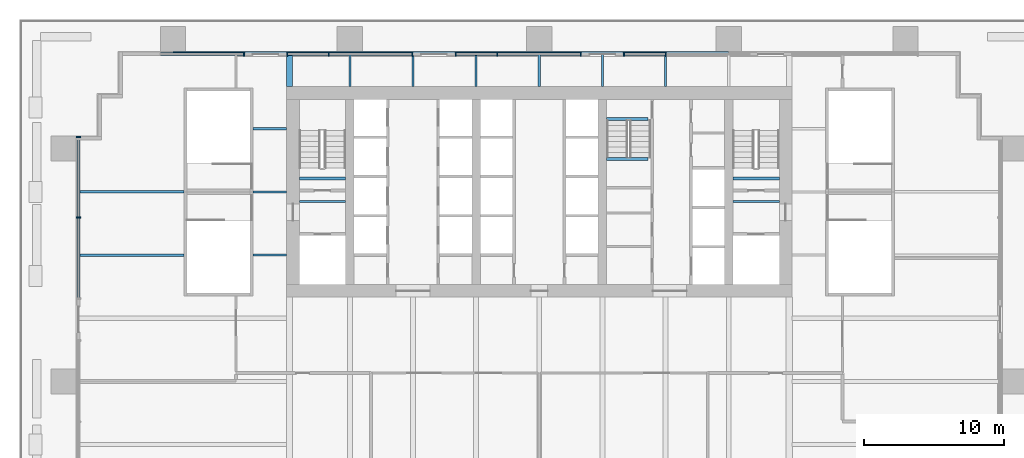
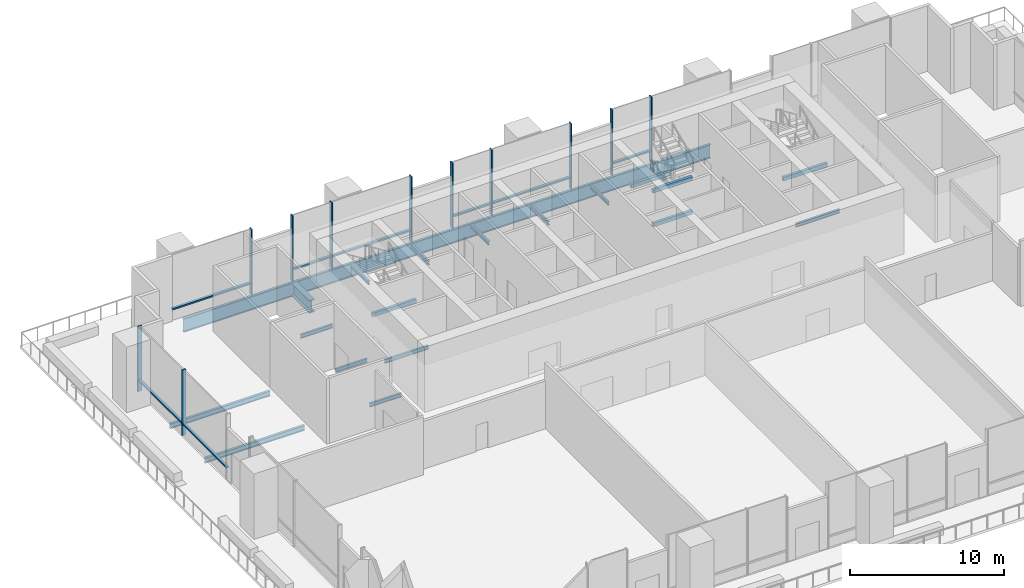
# One storey, part 4 of 16: 22 beams, 19 members, 5 elements without a shape of their own.
"""IFC4 building model written with IfcOpenShell, lengths in metres."""

from ifc_helpers import new_model, si_unit, direction, frame, origin, origin_2d, place, context, subcontext, project, spatial, rectangle, i_section, extrude, material, layer, layer_set, material_profile, profile_set, type_object, element, aggregate, save


model = new_model("IFC4")

# Units and contexts
model_context = context("Model", 3, precision=1e-05, world=origin(), true_north=direction((0.0, 1.0)))
body_context = subcontext(model_context, "Body", "Model", "MODEL_VIEW")
ifc_project = project(units=[si_unit("LENGTHUNIT", "METRE"), si_unit("AREAUNIT", "SQUARE_METRE"), si_unit("VOLUMEUNIT", "CUBIC_METRE"), si_unit("PLANEANGLEUNIT", "RADIAN"), si_unit("MASSUNIT", "GRAM", prefix="KILO")], contexts=[model_context])

# Site, building, storey
site_placement = place(None, origin())
site = spatial("IfcSite", under=ifc_project, at=site_placement, CompositionType="ELEMENT")
building_placement = place(site_placement, origin())
building = spatial("IfcBuilding", under=site, at=building_placement, Name="Rattan Terrace Tower", CompositionType="ELEMENT")
storey_placement = place(building_placement, frame((0.0, 0.0, 27.0)))
storey = spatial("IfcBuildingStorey", under=building, at=storey_placement, Name="L05", CompositionType="ELEMENT", Elevation=27.0)

# Beams
ifc_material_1 = material(Name="Concrete C40/50", Category="concrete")
ifc_material_profile_1 = material_profile(ifc_material_1, rectangle(XDim=0.199951171875, YDim=0.300048828125, at=origin_2d()), Name="RC 200x300")
ifc_profile_set_1 = profile_set([ifc_material_profile_1], Name="Concrete C40/50")
beam_type_1 = type_object("IfcBeamType", Name="Core landing beam RC 200x300", PredefinedType="BEAM", material=ifc_profile_set_1)
for number, where, z_axis, x_axis, name in (
    (1, (-17.10009765625, 0.949951171875, 2.35009765625), (1.0, 0.0, 0.0), (0.0, 1.0, 0.0), "st-S1-L05 landing 2 edge beam"),
    (2, (13.800048828125, 0.949951171875, 2.35009765625), (1.0, 0.0, 0.0), (0.0, 1.0, 0.0), "st-S2-L05 landing 2 edge beam"),
):
    element("IfcBeam", number, at=place(storey_placement, frame(where, z_axis=z_axis, x_axis=x_axis)), inside=storey, type_object=beam_type_1, Name=name, PredefinedType="BEAM", context=body_context, shape_type="SweptSolid", body=[
        extrude(rectangle(XDim=0.199951171875, YDim=0.300048828125, at=origin_2d()), origin(), (0.0, 0.0, 1.0), 3.300048828125),
    ])
for number, where, z_axis, x_axis, name in (
    (3, (4.800048828125, 2.340087890625, 1.0), (1.0, 0.0, 0.0), (0.0, 1.0, 0.0), "st-S3-L05 landing 1 edge beam"),
    (4, (4.800048828125, 5.199951171875, 2.35009765625), (1.0, 0.0, 0.0), (0.0, 1.0, 0.0), "st-S3-L05 landing 2 edge beam"),
    (5, (4.800048828125, 2.340087890625, 3.699951171875), (1.0, 0.0, 0.0), (0.0, 1.0, 0.0), "st-S3-L05 landing 3 edge beam"),
):
    element("IfcBeam", number, at=place(storey_placement, frame(where, z_axis=z_axis, x_axis=x_axis)), inside=storey, type_object=beam_type_1, Name=name, PredefinedType="BEAM", context=body_context, shape_type="SweptSolid", body=[
        extrude(rectangle(XDim=0.199951171875, YDim=0.300048828125, at=origin_2d()), origin(), (0.0, 0.0, 1.0), 2.949951171875),
    ])
ifc_material_2 = material(Name="Steel S460", Category="steel")
ifc_material_profile_2 = material_profile(ifc_material_2, i_section(OverallWidth=0.39990234375, OverallDepth=1.0, WebThickness=0.01806640625, FlangeThickness=0.044921875, at=origin_2d()), Name="PG 1000x400-18-45")
ifc_profile_set_2 = profile_set([ifc_material_profile_2], Name="Steel S460")
beam_type_2 = type_object("IfcBeamType", Name="Frame core girder PG 1000x400-18-45", PredefinedType="BEAM", material=ifc_profile_set_2)
beam_1_placement = place(storey_placement, frame((-17.800048828125, 7.5, -0.699951171875), z_axis=(0.0, 1.0, 0.0), x_axis=(-1.0, 0.0, 0.0)))
element("IfcBeam", 6, at=beam_1_placement, inside=storey, type_object=beam_type_2, Name="gdr-L05-015", PredefinedType="BEAM", context=body_context, shape_type="SweptSolid", body=[
    extrude(i_section(OverallWidth=0.39990234375, OverallDepth=1.0, WebThickness=0.01806640625, FlangeThickness=0.044921875, at=origin_2d()), origin(), (0.0, 0.0, 1.0), 2.320068359375),
])
ifc_material_3 = material(Name="Steel S460", Category="steel")
ifc_material_profile_3 = material_profile(ifc_material_3, i_section(OverallWidth=0.179931640625, OverallDepth=1.10009765625, WebThickness=0.01611328125, FlangeThickness=0.050048828125, at=origin_2d()), Name="PG 1100x180-16-50")
ifc_profile_set_3 = profile_set([ifc_material_profile_3], Name="Steel S460")
beam_type_3 = type_object("IfcBeamType", Name="Frame edge girder PG 1100x180-16-50", PredefinedType="SPANDREL", material=ifc_profile_set_3)
beam_2_placement = place(storey_placement, frame((-13.5, 9.909912109375, -0.75), z_axis=(-1.0, 0.0, 0.0), x_axis=(0.0, -1.0, 0.0)))
element("IfcBeam", 7, at=beam_2_placement, inside=storey, type_object=beam_type_3, Name="gdr-L05-009", PredefinedType="SPANDREL", context=body_context, shape_type="SweptSolid", body=[
    extrude(i_section(OverallWidth=0.179931640625, OverallDepth=1.10009765625, WebThickness=0.01611328125, FlangeThickness=0.050048828125, at=origin_2d()), origin(), (0.0, 0.0, 1.0), 12.60009765625),
])
for number, where, z_axis, x_axis, name in (
    (8, (0.0, 9.909912109375, -0.75), (-1.0, 0.0, 0.0), (0.0, -1.0, 0.0), "gdr-L05-010"),
    (9, (13.5, 9.909912109375, -0.75), (-1.0, 0.0, 0.0), (0.0, -1.0, 0.0), "gdr-L05-011"),
):
    element("IfcBeam", number, at=place(storey_placement, frame(where, z_axis=z_axis, x_axis=x_axis)), inside=storey, type_object=beam_type_3, Name=name, PredefinedType="SPANDREL", context=body_context, shape_type="SweptSolid", body=[
        extrude(i_section(OverallWidth=0.179931640625, OverallDepth=1.10009765625, WebThickness=0.01611328125, FlangeThickness=0.050048828125, at=origin_2d()), origin(), (0.0, 0.0, 1.0), 13.5),
    ])
ifc_material_4 = material(Name="Steel S355", Category="steel")
ifc_material_profile_4 = material_profile(ifc_material_4, i_section(OverallWidth=0.14990234375, OverallDepth=0.300048828125, WebThickness=0.007080078125, FlangeThickness=0.0107421875, FilletRadius=0.014892578125, at=origin_2d()), Name="IPE 300")
ifc_profile_set_4 = profile_set([ifc_material_profile_4], Name="Steel S355")
beam_type_4 = type_object("IfcBeamType", Name="Frame floor beam IPE 300", PredefinedType="JOIST", material=ifc_profile_set_4)
for number, where, z_axis, x_axis, name in (
    (10, (-17.10009765625, -0.695068359375, -0.35009765625), (1.0, 0.0, 0.0), (0.0, 1.0, 0.0), "bm-L05-001"),
    (11, (13.800048828125, -0.695068359375, -0.35009765625), (1.0, 0.0, 0.0), (0.0, 1.0, 0.0), "bm-L05-002"),
):
    element("IfcBeam", number, at=place(storey_placement, frame(where, z_axis=z_axis, x_axis=x_axis)), inside=storey, type_object=beam_type_4, Name=name, PredefinedType="JOIST", context=body_context, shape_type="SweptSolid", body=[
        extrude(i_section(OverallWidth=0.14990234375, OverallDepth=0.300048828125, WebThickness=0.007080078125, FlangeThickness=0.0107421875, FilletRadius=0.014892578125, at=origin_2d()), origin(), (0.0, 0.0, 1.0), 3.300048828125),
    ])
for number, where, z_axis, x_axis, name in (
    (12, (-20.39990234375, -4.5, -0.35009765625), (1.0, 0.0, 0.0), (0.0, 1.0, 0.0), "bm-L05-021"),
    (13, (-20.39990234375, 0.0, -0.35009765625), (1.0, 0.0, 0.0), (0.0, 1.0, 0.0), "bm-L05-025"),
    (14, (-20.39990234375, 4.5, -0.35009765625), (1.0, 0.0, 0.0), (0.0, 1.0, 0.0), "bm-L05-028"),
):
    element("IfcBeam", number, at=place(storey_placement, frame(where, z_axis=z_axis, x_axis=x_axis)), inside=storey, type_object=beam_type_4, Name=name, PredefinedType="JOIST", context=body_context, shape_type="SweptSolid", body=[
        extrude(i_section(OverallWidth=0.14990234375, OverallDepth=0.300048828125, WebThickness=0.007080078125, FlangeThickness=0.0107421875, FilletRadius=0.014892578125, at=origin_2d()), origin(), (0.0, 0.0, 1.0), 2.39990234375),
    ])
for number, where, z_axis, x_axis, name in (
    (15, (-13.5, 7.5, -0.35009765625), (0.0, 1.0, 0.0), (-1.0, 0.0, 0.0), "bm-L05-030"),
    (16, (-9.0, 7.5, -0.35009765625), (0.0, 1.0, 0.0), (-1.0, 0.0, 0.0), "bm-L05-031"),
    (17, (-4.5, 7.5, -0.35009765625), (0.0, 1.0, 0.0), (-1.0, 0.0, 0.0), "bm-L05-032"),
    (18, (0.0, 7.5, -0.35009765625), (0.0, 1.0, 0.0), (-1.0, 0.0, 0.0), "bm-L05-033"),
    (19, (4.5, 7.5, -0.35009765625), (0.0, 1.0, 0.0), (-1.0, 0.0, 0.0), "bm-L05-034"),
    (20, (9.0, 7.5, -0.35009765625), (0.0, 1.0, 0.0), (-1.0, 0.0, 0.0), "bm-L05-035"),
):
    element("IfcBeam", number, at=place(storey_placement, frame(where, z_axis=z_axis, x_axis=x_axis)), inside=storey, type_object=beam_type_4, Name=name, PredefinedType="JOIST", context=body_context, shape_type="SweptSolid", body=[
        extrude(i_section(OverallWidth=0.14990234375, OverallDepth=0.300048828125, WebThickness=0.007080078125, FlangeThickness=0.0107421875, FilletRadius=0.014892578125, at=origin_2d()), origin(), (0.0, 0.0, 1.0), 2.320068359375),
    ])
ifc_material_5 = material(Name="Steel S355", Category="steel")
ifc_material_profile_5 = material_profile(ifc_material_5, i_section(OverallWidth=0.179931640625, OverallDepth=0.39990234375, WebThickness=0.008544921875, FlangeThickness=0.013427734375, FilletRadius=0.02099609375, at=origin_2d()), Name="IPE 400")
ifc_profile_set_5 = profile_set([ifc_material_profile_5], Name="Steel S355")
beam_type_5 = type_object("IfcBeamType", Name="Frame floor beam IPE 400", PredefinedType="JOIST", material=ifc_profile_set_5)
for number, where, z_axis, x_axis, name in (
    (21, (-32.820068359375, -4.5, -0.39990234375), (1.0, 0.0, 0.0), (0.0, 1.0, 0.0), "bm-L05-020"),
    (22, (-32.820068359375, 0.0, -0.39990234375), (1.0, 0.0, 0.0), (0.0, 1.0, 0.0), "bm-L05-024"),
):
    element("IfcBeam", number, at=place(storey_placement, frame(where, z_axis=z_axis, x_axis=x_axis)), inside=storey, type_object=beam_type_5, Name=name, PredefinedType="JOIST", context=body_context, shape_type="SweptSolid", body=[
        extrude(i_section(OverallWidth=0.179931640625, OverallDepth=0.39990234375, WebThickness=0.008544921875, FlangeThickness=0.013427734375, FilletRadius=0.02099609375, at=origin_2d()), origin(), (0.0, 0.0, 1.0), 7.52001953125),
    ])

# Curtain wall, members
ifc_material_6 = material(Name="Steel fins, aluminium and glass", Category="steel")
ifc_layer = layer(ifc_material_6, 0.300048828125)
ifc_layer_set = layer_set([ifc_layer], Name="Sky Lobby Stick Curtain Wall")
curtain_wall_type = type_object("IfcCurtainWallType", Name="Sky Lobby Stick Curtain Wall", PredefinedType="NOTDEFINED", material=ifc_layer_set)
curtain_wall_1_placement = place(storey_placement, origin())
curtain_wall_1 = element("IfcCurtainWall", 23, at=curtain_wall_1_placement, inside=storey, type_object=curtain_wall_type, Name="Sky lobby curtain wall L05-5", PredefinedType="NOTDEFINED")
ifc_material_7 = material(Name="Steel S355", Category="steel")
ifc_material_profile_6 = material_profile(ifc_material_7, rectangle(XDim=0.080078125, YDim=0.300048828125, at=origin_2d()), Name="Steel S355 80x300")
ifc_profile_set_6 = profile_set([ifc_material_profile_6], Name="Steel S355")
member_type_1 = type_object("IfcMemberType", Name="Sky Lobby CW Fin 80x300", PredefinedType="MULLION", material=ifc_profile_set_6)
member_1_placement = place(storey_placement, frame((9.0, 9.830078125, 0.0), z_axis=(0.0, 0.0, 1.0), x_axis=(-1.0, 0.0, 0.0)))
member_1 = element("IfcMember", 24, at=member_1_placement, type_object=member_type_1, Name="Mullion cwl-L05-005.2", PredefinedType="MULLION", context=body_context, shape_type="SweptSolid", body=[
    extrude(rectangle(XDim=0.080078125, YDim=0.300048828125, at=origin_2d()), origin(), (0.0, 0.0, 1.0), 5.199951171875),
])
member_2_placement = place(storey_placement, frame((6.0400390625, 9.830078125, 0.0), z_axis=(0.0, 0.0, 1.0), x_axis=(-1.0, 0.0, 0.0)))
member_2 = element("IfcMember", 25, at=member_2_placement, type_object=member_type_1, Name="Mullion cwl-L05-005.3", PredefinedType="MULLION", context=body_context, shape_type="SweptSolid", body=[
    extrude(rectangle(XDim=0.080078125, YDim=0.300048828125, at=origin_2d()), origin(), (0.0, 0.0, 1.0), 5.199951171875),
])

curtain_wall_2_placement = place(storey_placement, origin())
curtain_wall_2 = element("IfcCurtainWall", 26, at=curtain_wall_2_placement, inside=storey, type_object=curtain_wall_type, Name="Sky lobby curtain wall L05-6", PredefinedType="NOTDEFINED")
member_3_placement = place(storey_placement, frame((2.9599609375, 9.830078125, 0.0), z_axis=(0.0, 0.0, 1.0), x_axis=(-1.0, 0.0, 0.0)))
member_3 = element("IfcMember", 27, at=member_3_placement, type_object=member_type_1, Name="Mullion cwl-L05-006.1", PredefinedType="MULLION", context=body_context, shape_type="SweptSolid", body=[
    extrude(rectangle(XDim=0.080078125, YDim=0.300048828125, at=origin_2d()), origin(), (0.0, 0.0, 1.0), 5.199951171875),
])
member_4_placement = place(storey_placement, frame((-3.0, 9.830078125, 0.0), z_axis=(0.0, 0.0, 1.0), x_axis=(-1.0, 0.0, 0.0)))
member_4 = element("IfcMember", 28, at=member_4_placement, type_object=member_type_1, Name="Mullion cwl-L05-006.2", PredefinedType="MULLION", context=body_context, shape_type="SweptSolid", body=[
    extrude(rectangle(XDim=0.080078125, YDim=0.300048828125, at=origin_2d()), origin(), (0.0, 0.0, 1.0), 5.199951171875),
])
member_5_placement = place(storey_placement, frame((-5.9599609375, 9.830078125, 0.0), z_axis=(0.0, 0.0, 1.0), x_axis=(-1.0, 0.0, 0.0)))
member_5 = element("IfcMember", 29, at=member_5_placement, type_object=member_type_1, Name="Mullion cwl-L05-006.3", PredefinedType="MULLION", context=body_context, shape_type="SweptSolid", body=[
    extrude(rectangle(XDim=0.080078125, YDim=0.300048828125, at=origin_2d()), origin(), (0.0, 0.0, 1.0), 5.199951171875),
])

curtain_wall_3_placement = place(storey_placement, origin())
curtain_wall_3 = element("IfcCurtainWall", 30, at=curtain_wall_3_placement, inside=storey, type_object=curtain_wall_type, Name="Sky lobby curtain wall L05-7", PredefinedType="NOTDEFINED")
member_6_placement = place(storey_placement, frame((-9.0400390625, 9.830078125, 0.0), z_axis=(0.0, 0.0, 1.0), x_axis=(-1.0, 0.0, 0.0)))
member_6 = element("IfcMember", 31, at=member_6_placement, type_object=member_type_1, Name="Mullion cwl-L05-007.1", PredefinedType="MULLION", context=body_context, shape_type="SweptSolid", body=[
    extrude(rectangle(XDim=0.080078125, YDim=0.300048828125, at=origin_2d()), origin(), (0.0, 0.0, 1.0), 5.199951171875),
])
member_7_placement = place(storey_placement, frame((-15.0, 9.830078125, 0.0), z_axis=(0.0, 0.0, 1.0), x_axis=(-1.0, 0.0, 0.0)))
member_7 = element("IfcMember", 32, at=member_7_placement, type_object=member_type_1, Name="Mullion cwl-L05-007.2", PredefinedType="MULLION", context=body_context, shape_type="SweptSolid", body=[
    extrude(rectangle(XDim=0.080078125, YDim=0.300048828125, at=origin_2d()), origin(), (0.0, 0.0, 1.0), 5.199951171875),
])
member_8_placement = place(storey_placement, frame((-17.9599609375, 9.830078125, 0.0), z_axis=(0.0, 0.0, 1.0), x_axis=(-1.0, 0.0, 0.0)))
member_8 = element("IfcMember", 33, at=member_8_placement, type_object=member_type_1, Name="Mullion cwl-L05-007.3", PredefinedType="MULLION", context=body_context, shape_type="SweptSolid", body=[
    extrude(rectangle(XDim=0.080078125, YDim=0.300048828125, at=origin_2d()), origin(), (0.0, 0.0, 1.0), 5.199951171875),
])

# Curtain wall, member
curtain_wall_4_placement = place(storey_placement, origin())
curtain_wall_4 = element("IfcCurtainWall", 34, at=curtain_wall_4_placement, inside=storey, type_object=curtain_wall_type, Name="Sky lobby curtain wall L05-8", PredefinedType="NOTDEFINED")
member_9_placement = place(storey_placement, frame((-21.0400390625, 9.830078125, 0.0), z_axis=(0.0, 0.0, 1.0), x_axis=(-1.0, 0.0, 0.0)))
member_9 = element("IfcMember", 35, at=member_9_placement, type_object=member_type_1, Name="Mullion cwl-L05-008.1", PredefinedType="MULLION", context=body_context, shape_type="SweptSolid", body=[
    extrude(rectangle(XDim=0.080078125, YDim=0.300048828125, at=origin_2d()), origin(), (0.0, 0.0, 1.0), 5.199951171875),
])

# Curtain wall, members
curtain_wall_5_placement = place(storey_placement, origin())
curtain_wall_5 = element("IfcCurtainWall", 36, at=curtain_wall_5_placement, inside=storey, type_object=curtain_wall_type, Name="Sky lobby curtain wall L05-9", PredefinedType="NOTDEFINED")
member_10_placement = place(storey_placement, frame((-32.830078125, 3.9150390625, 0.0), z_axis=(0.0, 0.0, 1.0), x_axis=(0.0, -1.0, 0.0)))
member_10 = element("IfcMember", 37, at=member_10_placement, type_object=member_type_1, Name="Mullion cwl-L05-009.1", PredefinedType="MULLION", context=body_context, shape_type="SweptSolid", body=[
    extrude(rectangle(XDim=0.080078125, YDim=0.300048828125, at=origin_2d()), origin(), (0.0, 0.0, 1.0), 5.199951171875),
])
member_11_placement = place(storey_placement, frame((-32.830078125, -1.818115234375, 0.0), z_axis=(0.0, 0.0, 1.0), x_axis=(0.0, -1.0, 0.0)))
member_11 = element("IfcMember", 38, at=member_11_placement, type_object=member_type_1, Name="Mullion cwl-L05-009.2", PredefinedType="MULLION", context=body_context, shape_type="SweptSolid", body=[
    extrude(rectangle(XDim=0.080078125, YDim=0.300048828125, at=origin_2d()), origin(), (0.0, 0.0, 1.0), 5.199951171875),
])

# Member
ifc_material_8 = material(Name="Aluminium", Category="aluminium")
ifc_material_profile_7 = material_profile(ifc_material_8, rectangle(XDim=0.199951171875, YDim=0.1201171875, at=origin_2d()), Name="Aluminium 200x120")
ifc_profile_set_7 = profile_set([ifc_material_profile_7], Name="Aluminium")
member_type_2 = type_object("IfcMemberType", Name="Sky Lobby CW Transom 200x120", PredefinedType="USERDEFINED", material=ifc_profile_set_7)
member_12_placement = place(storey_placement, frame((8.9599609375, 9.830078125, 0.89990234375), z_axis=(-1.0, 0.0, 0.0), x_axis=(0.0, -1.0, 0.0)))
member_12 = element("IfcMember", 39, at=member_12_placement, type_object=member_type_2, Name="Transom cwl-L05-005.2", ObjectType="TRANSOM", PredefinedType="USERDEFINED", context=body_context, shape_type="SweptSolid", body=[
    extrude(rectangle(XDim=0.199951171875, YDim=0.1201171875, at=origin_2d()), origin(), (0.0, 0.0, 1.0), 2.8798828125),
])

aggregate(curtain_wall_1, [member_1, member_2, member_12])

member_13_placement = place(storey_placement, frame((2.919921875, 9.830078125, 0.89990234375), z_axis=(-1.0, 0.0, 0.0), x_axis=(0.0, -1.0, 0.0)))
member_13 = element("IfcMember", 40, at=member_13_placement, type_object=member_type_2, Name="Transom cwl-L05-006.1", ObjectType="TRANSOM", PredefinedType="USERDEFINED", context=body_context, shape_type="SweptSolid", body=[
    extrude(rectangle(XDim=0.199951171875, YDim=0.1201171875, at=origin_2d()), origin(), (0.0, 0.0, 1.0), 5.8798828125),
])

member_14_placement = place(storey_placement, frame((-3.0400390625, 9.830078125, 0.89990234375), z_axis=(-1.0, 0.0, 0.0), x_axis=(0.0, -1.0, 0.0)))
member_14 = element("IfcMember", 41, at=member_14_placement, type_object=member_type_2, Name="Transom cwl-L05-006.2", ObjectType="TRANSOM", PredefinedType="USERDEFINED", context=body_context, shape_type="SweptSolid", body=[
    extrude(rectangle(XDim=0.199951171875, YDim=0.1201171875, at=origin_2d()), origin(), (0.0, 0.0, 1.0), 2.8798828125),
])

aggregate(curtain_wall_2, [member_3, member_4, member_5, member_13, member_14])

member_15_placement = place(storey_placement, frame((-9.080078125, 9.830078125, 0.89990234375), z_axis=(-1.0, 0.0, 0.0), x_axis=(0.0, -1.0, 0.0)))
member_15 = element("IfcMember", 42, at=member_15_placement, type_object=member_type_2, Name="Transom cwl-L05-007.1", ObjectType="TRANSOM", PredefinedType="USERDEFINED", context=body_context, shape_type="SweptSolid", body=[
    extrude(rectangle(XDim=0.199951171875, YDim=0.1201171875, at=origin_2d()), origin(), (0.0, 0.0, 1.0), 5.8798828125),
])

member_16_placement = place(storey_placement, frame((-15.0400390625, 9.830078125, 0.89990234375), z_axis=(-1.0, 0.0, 0.0), x_axis=(0.0, -1.0, 0.0)))
member_16 = element("IfcMember", 43, at=member_16_placement, type_object=member_type_2, Name="Transom cwl-L05-007.2", ObjectType="TRANSOM", PredefinedType="USERDEFINED", context=body_context, shape_type="SweptSolid", body=[
    extrude(rectangle(XDim=0.199951171875, YDim=0.1201171875, at=origin_2d()), origin(), (0.0, 0.0, 1.0), 2.8798828125),
])

aggregate(curtain_wall_3, [member_6, member_7, member_8, member_15, member_16])

member_17_placement = place(storey_placement, frame((-21.080078125, 9.830078125, 0.89990234375), z_axis=(-1.0, 0.0, 0.0), x_axis=(0.0, -1.0, 0.0)))
member_17 = element("IfcMember", 44, at=member_17_placement, type_object=member_type_2, Name="Transom cwl-L05-008.1", ObjectType="TRANSOM", PredefinedType="USERDEFINED", context=body_context, shape_type="SweptSolid", body=[
    extrude(rectangle(XDim=0.199951171875, YDim=0.1201171875, at=origin_2d()), origin(), (0.0, 0.0, 1.0), 5.919921875),
])

aggregate(curtain_wall_4, [member_9, member_17])

member_18_placement = place(storey_placement, frame((-32.830078125, 3.875, 0.89990234375), z_axis=(0.0, -1.0, 0.0), x_axis=(1.0, 0.0, 0.0)))
member_18 = element("IfcMember", 45, at=member_18_placement, type_object=member_type_2, Name="Transom cwl-L05-009.1", ObjectType="TRANSOM", PredefinedType="USERDEFINED", context=body_context, shape_type="SweptSolid", body=[
    extrude(rectangle(XDim=0.199951171875, YDim=0.1201171875, at=origin_2d()), origin(), (0.0, 0.0, 1.0), 5.653076171875),
])

member_19_placement = place(storey_placement, frame((-32.830078125, -1.85791015625, 0.89990234375), z_axis=(0.0, -1.0, 0.0), x_axis=(1.0, 0.0, 0.0)))
member_19 = element("IfcMember", 46, at=member_19_placement, type_object=member_type_2, Name="Transom cwl-L05-009.2", ObjectType="TRANSOM", PredefinedType="USERDEFINED", context=body_context, shape_type="SweptSolid", body=[
    extrude(rectangle(XDim=0.199951171875, YDim=0.1201171875, at=origin_2d()), origin(), (0.0, 0.0, 1.0), 5.697998046875),
])

aggregate(curtain_wall_5, [member_10, member_11, member_18, member_19])

save(model, "model.ifc")
